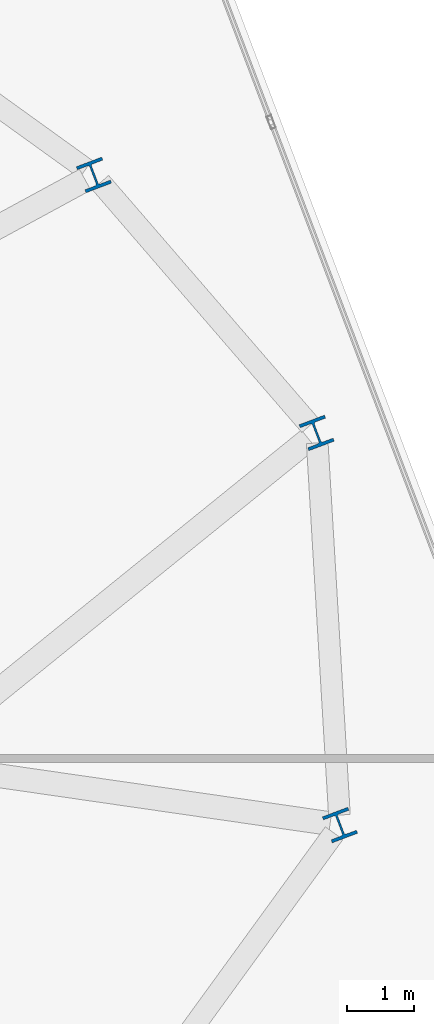
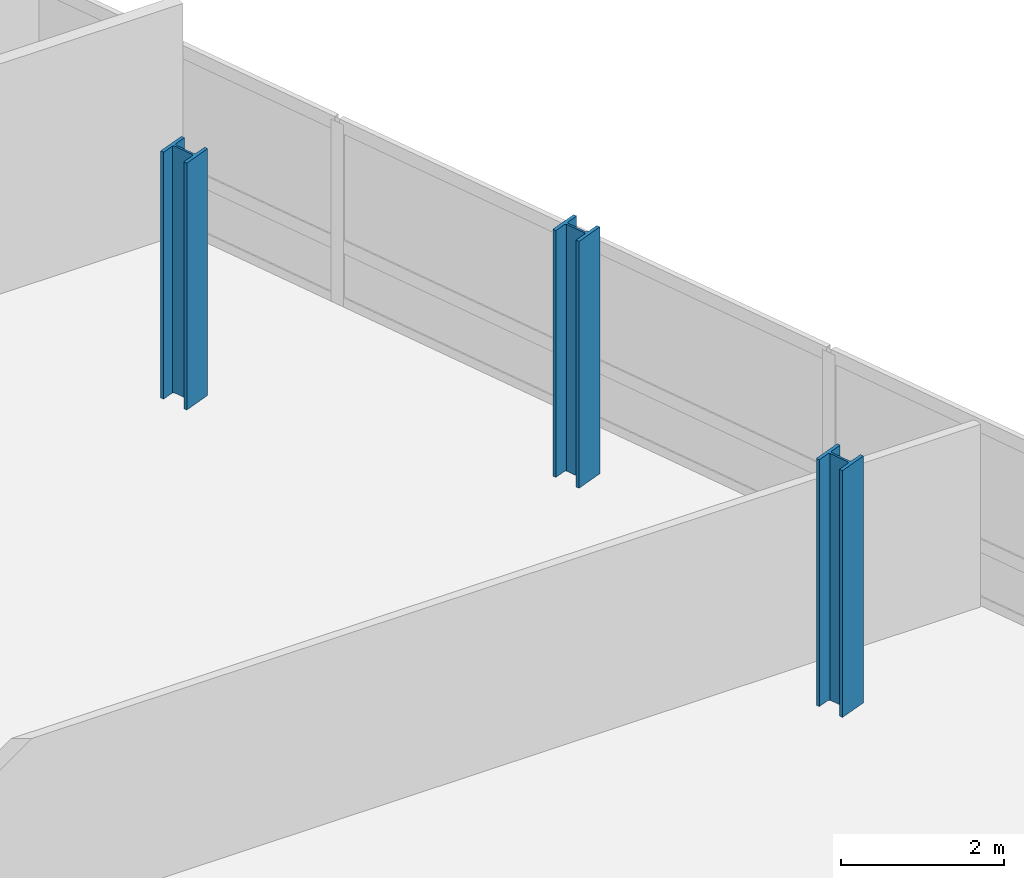
# One storey, part 2 of 23: 3 columns.
"""IFC4 building model written with IfcOpenShell, lengths in metres."""

from ifc_helpers import new_model, si_unit, direction, frame, origin, origin_2d, place, context, subcontext, project, spatial, i_section, extrude, material, material_profile, profile_set, type_object, element, save


model = new_model("IFC4")

# Units and contexts
model_context = context("Model", 3, precision=1e-05, world=origin(), true_north=direction((0.0, 1.0)))
body_context = subcontext(model_context, "Body", "Model", "MODEL_VIEW")
ifc_project = project(units=[si_unit("LENGTHUNIT", "METRE"), si_unit("AREAUNIT", "SQUARE_METRE"), si_unit("VOLUMEUNIT", "CUBIC_METRE"), si_unit("PLANEANGLEUNIT", "RADIAN"), si_unit("MASSUNIT", "GRAM", prefix="KILO")], contexts=[model_context])

# Site, building, storey
site_placement = place(None, origin())
site = spatial("IfcSite", under=ifc_project, at=site_placement, CompositionType="ELEMENT")
building_placement = place(site_placement, origin())
building = spatial("IfcBuilding", under=site, at=building_placement, Name="Varnelok Gate Tower", CompositionType="ELEMENT")
storey_placement = place(building_placement, frame((0.0, 0.0, 227.5)))
storey = spatial("IfcBuildingStorey", under=building, at=storey_placement, Name="L58", CompositionType="ELEMENT", Elevation=227.5)

# Columns
ifc_material = material(Name="Structural Steel ASTM A992 Grade 50", Category="steel")
ifc_material_profile = material_profile(ifc_material, i_section(OverallWidth=0.406005859375, OverallDepth=0.416015625, WebThickness=0.02978515625, FlangeThickness=0.048095703125, FilletRadius=0.02490234375, at=origin_2d()), Name="W14X257")
ifc_profile_set = profile_set([ifc_material_profile], Name="Structural Steel ASTM A992 Grade 50")
column_type = type_object("IfcColumnType", Name="COL-W14X257", PredefinedType="COLUMN", material=ifc_profile_set)
for number, where, z_axis, x_axis, name in (
    (1, (71.05517578125, 26.453369140625, 0.0), (0.0, 0.0, 1.0), (0.935221751401, 0.354062530786, 0.0), "L58 B5 Perimeter Column PC06"),
    (2, (70.70556640625, 32.319580078125, 0.0), (0.0, 0.0, 1.0), (0.935221751401, 0.354062530786, 0.0), "L58 B5 Perimeter Column PC07"),
    (3, (67.372802734375, 36.1796875, 0.0), (0.0, 0.0, 1.0), (0.935221751401, 0.354062530786, 0.0), "L58 B5 Perimeter Column PC08"),
):
    element("IfcColumn", number, at=place(storey_placement, frame(where, z_axis=z_axis, x_axis=x_axis)), inside=storey, type_object=column_type, Name=name, PredefinedType="COLUMN", context=body_context, shape_type="SweptSolid", body=[
        extrude(i_section(OverallWidth=0.406005859375, OverallDepth=0.416015625, WebThickness=0.02978515625, FlangeThickness=0.048095703125, FilletRadius=0.02490234375, at=origin_2d()), origin(), (0.0, 0.0, 1.0), 3.699951171875),
    ])

save(model, "model.ifc")
